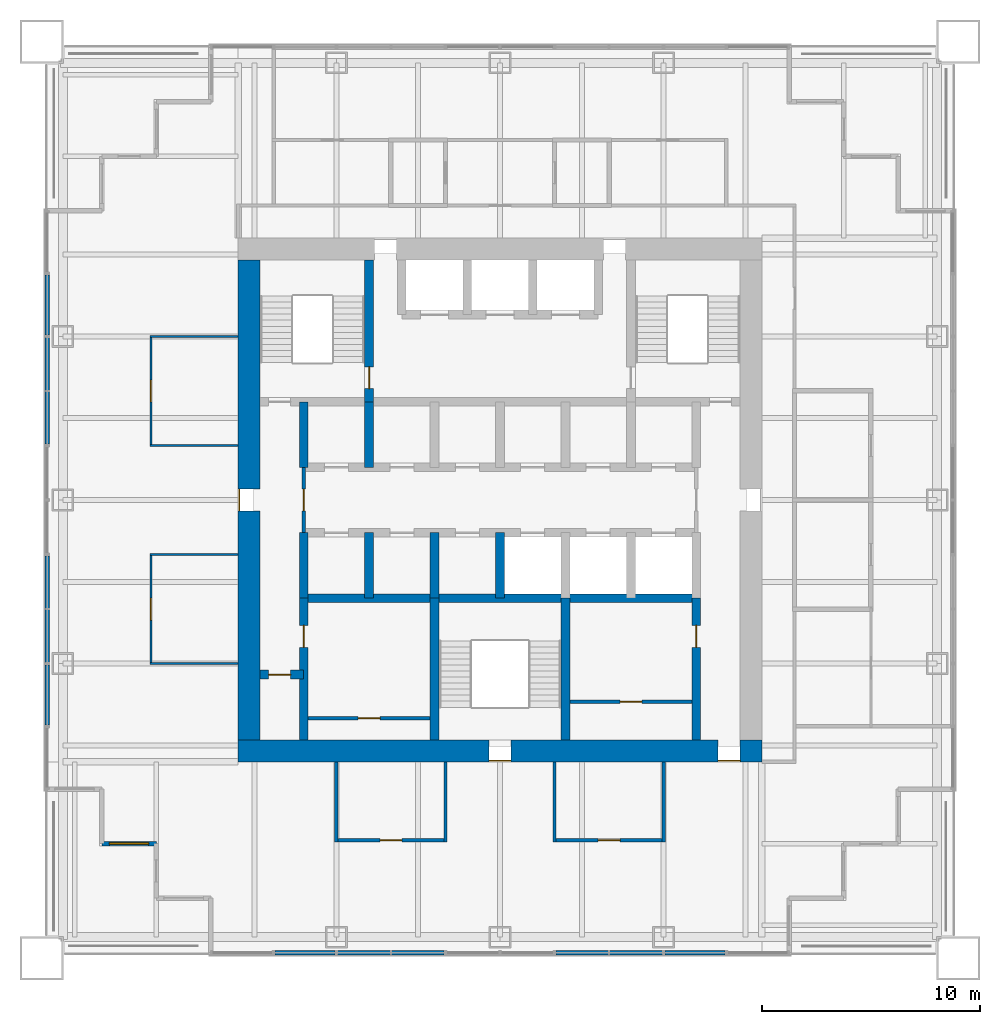
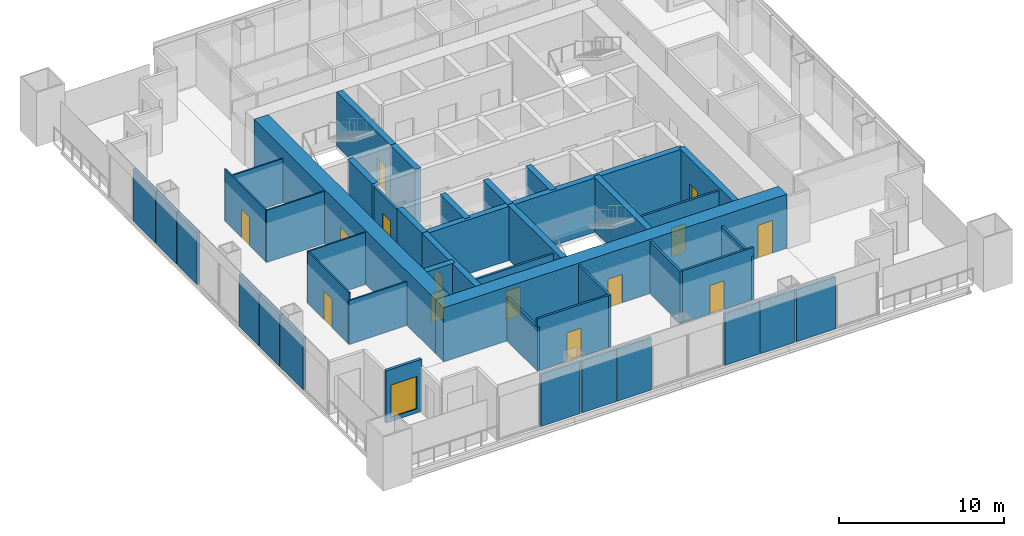
# One storey, part 9 of 14: 43 walls, 14 doors, 1 window, 15 openings.
"""IFC4 building model written with IfcOpenShell, lengths in metres."""

import ifcopenshell
import ifcopenshell.guid

model = None  # the IFC model being written
_history = None  # IfcOwnerHistory: only IFC2X3 demands one
_inside = {}  # id of a spatial element -> (the spatial element, [elements in it])
_under = {}  # id of a project, library or spatial element -> (it, [spatial elements below it])
_declared = {}  # id of a project -> (the project, [libraries it declares])
_typed = {}  # id of a type object -> (the type object, [elements of that type])
_made_of = {}  # id of a material, layer set ... -> (it, [elements and type objects made of it])


def new_model(schema):
    """Start an empty IFC model of exactly this schema.

    Asked for "IFC4X3", IfcOpenShell would pick the latest addendum, in which some entities
    have other attributes; the version numbers below select the first issue.
    IFC2X3 requires an IfcOwnerHistory on every rooted entity: one is made here for all.
    """
    global model, _history
    if schema == "IFC4X3":
        model = ifcopenshell.file(schema_version=(4, 3, 0, 0))
    else:
        model = ifcopenshell.file(schema=schema)
    _inside.clear()
    _under.clear()
    _declared.clear()
    _typed.clear()
    _made_of.clear()
    _history = None
    if model.schema == "IFC2X3":
        org = make("IfcOrganization", Name="unknown")
        user = make(
            "IfcPersonAndOrganization",
            ThePerson=make("IfcPerson", FamilyName="unknown"),
            TheOrganization=org,
        )
        app = make(
            "IfcApplication",
            ApplicationDeveloper=org,
            Version="unknown",
            ApplicationFullName="unknown",
            ApplicationIdentifier="unknown",
        )
        _history = make(
            "IfcOwnerHistory",
            OwningUser=user,
            OwningApplication=app,
            ChangeAction="ADDED",
            CreationDate=0,
        )
    return model


def make(cls, **values):
    """One entity of the class cls with the attributes given. An attribute that is None is left unset."""
    return model.create_entity(
        cls, **{name: value for name, value in values.items() if value is not None}
    )


def rooted(cls, **values):
    """An entity with a GlobalId (a new one), such as an element, a storey or a relation."""
    return make(cls, GlobalId=ifcopenshell.guid.new(), OwnerHistory=_history, **values)


def si_unit(unit_type, name, prefix=None):
    """IfcSIUnit, for example si_unit("LENGTHUNIT", "METRE", prefix="MILLI")."""
    return make("IfcSIUnit", UnitType=unit_type, Prefix=prefix, Name=name)


def assignment(units):
    """IfcUnitAssignment: the units of a project."""
    return None if units is None else make("IfcUnitAssignment", Units=units)


def point(xyz):
    """IfcCartesianPoint."""
    return None if xyz is None else make("IfcCartesianPoint", Coordinates=xyz)


def direction(xyz):
    """IfcDirection."""
    return None if xyz is None else make("IfcDirection", DirectionRatios=xyz)


def frame(location, z_axis=None, x_axis=None):
    """IfcAxis2Placement3D, a coordinate frame: its origin and axes. An axis left out is left unset."""
    return make(
        "IfcAxis2Placement3D",
        Location=point(location),
        Axis=direction(z_axis),
        RefDirection=direction(x_axis),
    )


def frame_2d(location, x_axis=None):
    """IfcAxis2Placement2D, a coordinate frame in the plane: its origin and x axis."""
    return make(
        "IfcAxis2Placement2D", Location=point(location), RefDirection=direction(x_axis)
    )


def origin():
    """The frame at (0, 0, 0) with its axes left unset."""
    return frame((0.0, 0.0, 0.0))


def place(relative_to, where):
    """IfcLocalPlacement: puts the frame where relative to a parent placement (None: the world)."""
    return make(
        "IfcLocalPlacement", PlacementRelTo=relative_to, RelativePlacement=where
    )


def context(
    kind, dimensions, precision=None, world=None, true_north=None, identifier=None
):
    """IfcGeometricRepresentationContext, for example the 3D "Model" context."""
    return make(
        "IfcGeometricRepresentationContext",
        ContextIdentifier=identifier,
        ContextType=kind,
        CoordinateSpaceDimension=dimensions,
        Precision=precision,
        WorldCoordinateSystem=world,
        TrueNorth=true_north,
    )


def subcontext(parent, identifier, kind, view, scale=None):
    """IfcGeometricRepresentationSubContext, for example "Body" below "Model"."""
    return make(
        "IfcGeometricRepresentationSubContext",
        ContextIdentifier=identifier,
        ContextType=kind,
        ParentContext=parent,
        TargetScale=scale,
        TargetView=view,
    )


def project(units=None, contexts=None):
    """IfcProject with its units and contexts."""
    return rooted(
        "IfcProject",
        Name="project",
        RepresentationContexts=contexts,
        UnitsInContext=assignment(units),
    )


def spatial(cls, under=None, at=None, **own):
    """A site, building, storey or space (cls), placed at a placement, below another one or the project."""
    s = rooted(cls, ObjectPlacement=at, **own)
    if under is not None:
        _under.setdefault(under.id(), (under, []))[1].append(s)
    return s


def profile(cls, at=None, kind="AREA", **sizes):
    """A parametric profile (cls). Its sizes go by their IFC names, for example OverallWidth=200.0."""
    return make(cls, ProfileType=kind, Position=at, **sizes)


def rectangle(**sizes):
    """IfcRectangleProfileDef."""
    return profile("IfcRectangleProfileDef", **sizes)


def extrude(swept, where, along, depth):
    """IfcExtrudedAreaSolid: the profile swept, set in the frame where, extruded along a direction by depth."""
    return make(
        "IfcExtrudedAreaSolid",
        SweptArea=swept,
        Position=where,
        ExtrudedDirection=direction(along),
        Depth=depth,
    )


def shape(context_of_items, identifier, shape_type, items):
    """IfcShapeRepresentation: the items that make up one representation, for example the "Body"."""
    return make(
        "IfcShapeRepresentation",
        ContextOfItems=context_of_items,
        RepresentationIdentifier=identifier,
        RepresentationType=shape_type,
        Items=items,
    )


def material(Name=None, Category=None):
    """IfcMaterial."""
    return make("IfcMaterial", Name=Name, Category=Category)


def layer(
    of_material, thickness, ventilated=None, Name=None, Category=None, Priority=None
):
    """IfcMaterialLayer: one layer of a wall or slab, of a material (None: an air gap)."""
    return make(
        "IfcMaterialLayer",
        Material=of_material,
        LayerThickness=thickness,
        IsVentilated=ventilated,
        Name=Name,
        Category=Category,
        Priority=Priority,
    )


def layer_set(layers, Name=None):
    """IfcMaterialLayerSet."""
    return make("IfcMaterialLayerSet", MaterialLayers=layers, LayerSetName=Name)


def made_of(thing, what):
    """Note that an element or type object is made of a material, layer set ...; save() writes the relation."""
    if what is not None:
        _made_of.setdefault(what.id(), (what, []))[1].append(thing)
    return thing


def type_object(cls, material=None, **own):
    """A type object (cls), such as IfcWallType, which elements share."""
    return made_of(rooted(cls, **own), material)


def element(
    cls,
    number,
    at=None,
    inside=None,
    cuts=None,
    type_object=None,
    material=None,
    context=None,
    identifier="Body",
    shape_type=None,
    held_by="IfcProductDefinitionShape",
    body=None,
    shapes=None,
    **own,
):
    """One element of the class cls, such as IfcWall. Its Tag is "e" and its number.

    at: its placement. inside: the storey or other place that contains it. cuts: it is an
    opening in that element (IfcRelVoidsElement). A single representation is given by context,
    identifier, shape_type and body (its items); several are given by shapes. held_by: the class
    of the entity that holds the representations. save() writes the other relations.
    """
    e = rooted(cls, Tag="e%d" % number, ObjectPlacement=at, **own)
    if body is not None:
        shapes = [shape(context, identifier, shape_type, body)]
    if shapes is not None:
        e.Representation = make(held_by, Representations=shapes)
    if inside is not None:
        _inside.setdefault(inside.id(), (inside, []))[1].append(e)
    if cuts is not None:
        rooted(
            "IfcRelVoidsElement", RelatingBuildingElement=cuts, RelatedOpeningElement=e
        )
    if type_object is not None:
        _typed.setdefault(type_object.id(), (type_object, []))[1].append(e)
    return made_of(e, material)


def fill(opening, filler):
    """IfcRelFillsElement: the door or window that sits in an opening."""
    return rooted(
        "IfcRelFillsElement",
        RelatingOpeningElement=opening,
        RelatedBuildingElement=filler,
    )


def aggregate(whole, parts):
    """IfcRelAggregates: a whole, such as a stair, and the parts it consists of."""
    return rooted("IfcRelAggregates", RelatingObject=whole, RelatedObjects=parts)


def save(model, path):
    """Write the relations noted so far, then the file.

    IfcRelAggregates (storeys below a building ...), IfcRelContainedInSpatialStructure (elements
    in a storey), IfcRelDefinesByType, IfcRelAssociatesMaterial and IfcRelDeclares: one each for
    every whole, place, type object, material and project.
    """
    for whole, parts in _under.values():
        aggregate(whole, parts)
    for where, things in _inside.values():
        rooted(
            "IfcRelContainedInSpatialStructure",
            RelatedElements=things,
            RelatingStructure=where,
        )
    for kind, things in _typed.values():
        rooted("IfcRelDefinesByType", RelatedObjects=things, RelatingType=kind)
    for what, things in _made_of.values():
        rooted("IfcRelAssociatesMaterial", RelatedObjects=things, RelatingMaterial=what)
    for by, libraries in _declared.values():
        rooted("IfcRelDeclares", RelatingContext=by, RelatedDefinitions=libraries)
    model.write(path)


model = new_model("IFC4")

# Units and contexts
model_context = context("Model", 3, precision=1e-05, world=origin(), true_north=direction((0.0, 1.0)))
body_context = subcontext(model_context, "Body", "Model", "MODEL_VIEW")
ifc_project = project(units=[si_unit("LENGTHUNIT", "METRE"), si_unit("AREAUNIT", "SQUARE_METRE"), si_unit("VOLUMEUNIT", "CUBIC_METRE"), si_unit("PLANEANGLEUNIT", "RADIAN"), si_unit("MASSUNIT", "GRAM", prefix="KILO")], contexts=[model_context])

# Site, building, storey
site_placement = place(None, origin())
site = spatial("IfcSite", under=ifc_project, at=site_placement, CompositionType="ELEMENT")
building_placement = place(site_placement, origin())
building = spatial("IfcBuilding", under=site, at=building_placement, Name="Tarangal Relay Tower", CompositionType="ELEMENT")
storey_placement = place(building_placement, frame((0.0, 0.0, 319.89990234375)))
storey = spatial("IfcBuildingStorey", under=building, at=storey_placement, Name="L71", CompositionType="ELEMENT", Elevation=319.89990234375)

# Wall
ifc_material_1 = material(Name="Concrete fc' 60 MPa", Category="concrete")
ifc_layer_1 = layer(ifc_material_1, 0.39990234375)
ifc_layer_set_1 = layer_set([ifc_layer_1], Name="Core inner wall 400")
wall_type_1 = type_object("IfcWallType", Name="Core inner wall 400", PredefinedType="SHEAR", material=ifc_layer_set_1)
wall_1_placement = place(storey_placement, frame((-9.0, -4.5, 0.0), z_axis=(0.0, 0.0, 1.0), x_axis=(1.0, 0.0, 0.0)))
element("IfcWall", 1, at=wall_1_placement, inside=storey, type_object=wall_type_1, Name="Core wall YM45 L71", PredefinedType="SHEAR", context=body_context, shape_type="SweptSolid", body=[
    extrude(rectangle(XDim=18.0, YDim=0.39990234375, at=frame_2d((9.0, 0.0))), origin(), (0.0, 0.0, 1.0), 4.0),
])

# Wall, opening, door
wall_2_placement = place(storey_placement, frame((-11.0, -8.0, 0.0), z_axis=(0.0, 0.0, 1.0), x_axis=(1.0, 0.0, 0.0)))
wall_2 = element("IfcWall", 2, at=wall_2_placement, inside=storey, type_object=wall_type_1, Name="Core wall YM8 L71", PredefinedType="SHEAR", context=body_context, shape_type="SweptSolid", body=[
    extrude(rectangle(XDim=2.0, YDim=0.39990234375, at=frame_2d((1.0, 0.0))), origin(), (0.0, 0.0, 1.0), 4.0),
])
opening_1_placement = place(wall_2_placement, frame((0.39990234375, 0.0, 0.0)))
opening_1 = element("IfcOpeningElement", 3, at=opening_1_placement, cuts=wall_2, Name="Opening D1", PredefinedType="OPENING", context=body_context, shape_type="SweptSolid", body=[
    extrude(rectangle(XDim=1.0, YDim=2.10009765625, at=frame_2d((0.5, 1.050048828125))), frame((0.0, 0.2099609375, 0.0), z_axis=(0.0, -1.0, 0.0), x_axis=(1.0, 0.0, 0.0)), (0.0, 0.0, 1.0), 0.419921875),
])
ifc_material_2 = material(Name="Hardwood door", Category="wood")
door_type_1 = type_object("IfcDoorType", Name="WC door 1000 x 2100", OperationType="SINGLE_SWING_LEFT", PredefinedType="DOOR", material=ifc_material_2)
door_1_placement = place(opening_1_placement, origin())
door_1 = element("IfcDoor", 4, at=door_1_placement, inside=storey, type_object=door_type_1, Name="Accessible WC door L71", OperationType="SINGLE_SWING_LEFT", OverallHeight=2.10009765625, OverallWidth=1.0, PredefinedType="DOOR", context=body_context, shape_type="SweptSolid", body=[
    extrude(rectangle(XDim=1.0, YDim=2.10009765625, at=frame_2d((0.5, 1.050048828125))), frame((0.0, 0.02490234375, 0.0), z_axis=(0.0, -1.0, 0.0), x_axis=(1.0, 0.0, 0.0)), (0.0, 0.0, 1.0), 0.050048828125),
])
fill(opening_1, door_1)

# Walls
for number, where, z_axis, x_axis, name in (
    (5, (-9.0, 1.5, 0.0), (0.0, 0.0, 1.0), (0.0, 1.0, 0.0), "Core wall XM9N L71"),
    (6, (-9.0, -4.5, 0.0), (0.0, 0.0, 1.0), (0.0, 1.0, 0.0), "Core wall XM9S L71"),
    (7, (-6.0, 1.5, 0.0), (0.0, 0.0, 1.0), (0.0, 1.0, 0.0), "Core wall XM6N L71"),
    (8, (-6.0, -4.5, 0.0), (0.0, 0.0, 1.0), (0.0, 1.0, 0.0), "Core wall XM6S L71"),
    (9, (-3.0, -4.5, 0.0), (0.0, 0.0, 1.0), (0.0, 1.0, 0.0), "Core wall XM3S L71"),
    (10, (0.0, -4.5, 0.0), (0.0, 0.0, 1.0), (0.0, 1.0, 0.0), "Core wall X0S L71"),
):
    element("IfcWall", number, at=place(storey_placement, frame(where, z_axis=z_axis, x_axis=x_axis)), inside=storey, type_object=wall_type_1, Name=name, PredefinedType="SHEAR", context=body_context, shape_type="SweptSolid", body=[
        extrude(rectangle(XDim=3.0, YDim=0.39990234375, at=frame_2d((1.5, 0.0))), origin(), (0.0, 0.0, 1.0), 4.0),
    ])

# Wall, opening, door
wall_3_placement = place(storey_placement, frame((-6.0, 4.5, 0.0), z_axis=(0.0, 0.0, 1.0), x_axis=(0.0, 1.0, 0.0)))
wall_3 = element("IfcWall", 11, at=wall_3_placement, inside=storey, type_object=wall_type_1, Name="Core wall XM6 L71", PredefinedType="SHEAR", context=body_context, shape_type="SweptSolid", body=[
    extrude(rectangle(XDim=6.5, YDim=0.39990234375, at=frame_2d((3.25, 0.0))), origin(), (0.0, 0.0, 1.0), 4.0),
])
opening_2_placement = place(wall_3_placement, frame((0.60009765625, 0.0, 0.0)))
opening_2 = element("IfcOpeningElement", 12, at=opening_2_placement, cuts=wall_3, Name="Opening FD1", PredefinedType="OPENING", context=body_context, shape_type="SweptSolid", body=[
    extrude(rectangle(XDim=1.0, YDim=2.10009765625, at=frame_2d((0.5, 1.050048828125))), frame((0.0, 0.2099609375, 0.0), z_axis=(0.0, -1.0, 0.0), x_axis=(1.0, 0.0, 0.0)), (0.0, 0.0, 1.0), 0.419921875),
])
ifc_material_3 = material(Name="Steel door with hardwood frame", Category="steel")
door_type_2 = type_object("IfcDoorType", Name="Fire door 1000 x 2100", OperationType="SINGLE_SWING_LEFT", PredefinedType="DOOR", material=ifc_material_3)
door_2_placement = place(opening_2_placement, origin())
door_2 = element("IfcDoor", 13, at=door_2_placement, inside=storey, type_object=door_type_2, Name="Stair ST-A door from fire-fighting lobby L71", OperationType="SINGLE_SWING_LEFT", OverallHeight=2.10009765625, OverallWidth=1.0, PredefinedType="DOOR", context=body_context, shape_type="SweptSolid", body=[
    extrude(rectangle(XDim=1.0, YDim=2.10009765625, at=frame_2d((0.5, 1.050048828125))), frame((0.0, 0.02490234375, 0.0), z_axis=(0.0, -1.0, 0.0), x_axis=(1.0, 0.0, 0.0)), (0.0, 0.0, 1.0), 0.050048828125),
])
fill(opening_2, door_2)

wall_4_placement = place(storey_placement, frame((-9.0, -11.0, 0.0), z_axis=(0.0, 0.0, 1.0), x_axis=(0.0, 1.0, 0.0)))
wall_4 = element("IfcWall", 14, at=wall_4_placement, inside=storey, type_object=wall_type_1, Name="Core wall XM9W L71", PredefinedType="SHEAR", context=body_context, shape_type="SweptSolid", body=[
    extrude(rectangle(XDim=6.5, YDim=0.39990234375, at=frame_2d((3.25, 0.0))), origin(), (0.0, 0.0, 1.0), 4.0),
])
opening_3_placement = place(wall_4_placement, frame((4.25, 0.0, 0.0)))
opening_3 = element("IfcOpeningElement", 15, at=opening_3_placement, cuts=wall_4, Name="Opening D1", PredefinedType="OPENING", context=body_context, shape_type="SweptSolid", body=[
    extrude(rectangle(XDim=1.0, YDim=2.10009765625, at=frame_2d((0.5, 1.050048828125))), frame((0.0, 0.2099609375, 0.0), z_axis=(0.0, -1.0, 0.0), x_axis=(1.0, 0.0, 0.0)), (0.0, 0.0, 1.0), 0.419921875),
])
door_3_placement = place(opening_3_placement, origin())
door_3 = element("IfcDoor", 16, at=door_3_placement, inside=storey, type_object=door_type_1, Name="Male WC door L71", OperationType="SINGLE_SWING_LEFT", OverallHeight=2.10009765625, OverallWidth=1.0, PredefinedType="DOOR", context=body_context, shape_type="SweptSolid", body=[
    extrude(rectangle(XDim=1.0, YDim=2.10009765625, at=frame_2d((0.5, 1.050048828125))), frame((0.0, 0.02490234375, 0.0), z_axis=(0.0, -1.0, 0.0), x_axis=(1.0, 0.0, 0.0)), (0.0, 0.0, 1.0), 0.050048828125),
])
fill(opening_3, door_3)

wall_5_placement = place(storey_placement, frame((9.0, -11.0, 0.0), z_axis=(0.0, 0.0, 1.0), x_axis=(0.0, 1.0, 0.0)))
wall_5 = element("IfcWall", 17, at=wall_5_placement, inside=storey, type_object=wall_type_1, Name="Core wall X9W L71", PredefinedType="SHEAR", context=body_context, shape_type="SweptSolid", body=[
    extrude(rectangle(XDim=6.5, YDim=0.39990234375, at=frame_2d((3.25, 0.0))), origin(), (0.0, 0.0, 1.0), 4.0),
])
opening_4_placement = place(wall_5_placement, frame((4.25, 0.0, 0.0)))
opening_4 = element("IfcOpeningElement", 18, at=opening_4_placement, cuts=wall_5, Name="Opening D1", PredefinedType="OPENING", context=body_context, shape_type="SweptSolid", body=[
    extrude(rectangle(XDim=1.0, YDim=2.10009765625, at=frame_2d((0.5, 1.050048828125))), frame((0.0, 0.2099609375, 0.0), z_axis=(0.0, -1.0, 0.0), x_axis=(1.0, 0.0, 0.0)), (0.0, 0.0, 1.0), 0.419921875),
])
door_4_placement = place(opening_4_placement, origin())
door_4 = element("IfcDoor", 19, at=door_4_placement, inside=storey, type_object=door_type_1, Name="Female WC door L71", OperationType="SINGLE_SWING_LEFT", OverallHeight=2.10009765625, OverallWidth=1.0, PredefinedType="DOOR", context=body_context, shape_type="SweptSolid", body=[
    extrude(rectangle(XDim=1.0, YDim=2.10009765625, at=frame_2d((0.5, 1.050048828125))), frame((0.0, 0.02490234375, 0.0), z_axis=(0.0, -1.0, 0.0), x_axis=(1.0, 0.0, 0.0)), (0.0, 0.0, 1.0), 0.050048828125),
])
fill(opening_4, door_4)

# Walls
for number, where, z_axis, x_axis, name in (
    (20, (-3.0, -11.0, 0.0), (0.0, 0.0, 1.0), (0.0, 1.0, 0.0), "Core wall XM3W L71"),
    (21, (3.0, -11.0, 0.0), (0.0, 0.0, 1.0), (0.0, 1.0, 0.0), "Core wall X3W L71"),
):
    element("IfcWall", number, at=place(storey_placement, frame(where, z_axis=z_axis, x_axis=x_axis)), inside=storey, type_object=wall_type_1, Name=name, PredefinedType="SHEAR", context=body_context, shape_type="SweptSolid", body=[
        extrude(rectangle(XDim=6.5, YDim=0.39990234375, at=frame_2d((3.25, 0.0))), origin(), (0.0, 0.0, 1.0), 4.0),
    ])

# Wall, openings, doors
ifc_layer_2 = layer(ifc_material_1, 1.0)
ifc_layer_set_2 = layer_set([ifc_layer_2], Name="Core wall 1000")
wall_type_2 = type_object("IfcWallType", Name="Core wall 1000", PredefinedType="SHEAR", material=ifc_layer_set_2)
wall_6_placement = place(storey_placement, frame((12.0, -11.5, 0.0), z_axis=(0.0, 0.0, 1.0), x_axis=(-1.0, 0.0, 0.0)))
wall_6 = element("IfcWall", 22, at=wall_6_placement, inside=storey, type_object=wall_type_2, Name="Core wall S L71", PredefinedType="SHEAR", context=body_context, shape_type="SweptSolid", body=[
    extrude(rectangle(XDim=24.0, YDim=1.0, at=frame_2d((12.0, 0.0))), origin(), (0.0, 0.0, 1.0), 4.0),
])
opening_5_placement = place(wall_6_placement, frame((11.5, 0.0, 0.0)))
opening_5 = element("IfcOpeningElement", 23, at=opening_5_placement, cuts=wall_6, Name="Opening FD1", PredefinedType="OPENING", context=body_context, shape_type="SweptSolid", body=[
    extrude(rectangle(XDim=1.0, YDim=2.10009765625, at=frame_2d((0.5, 1.050048828125))), frame((0.0, 0.510009765625, 0.0), z_axis=(0.0, -1.0, 0.0), x_axis=(1.0, 0.0, 0.0)), (0.0, 0.0, 1.0), 1.02001953125),
])
opening_6_placement = place(wall_6_placement, frame((1.0, 0.0, 0.0)))
opening_6 = element("IfcOpeningElement", 24, at=opening_6_placement, cuts=wall_6, Name="Opening FD3", PredefinedType="OPENING", context=body_context, shape_type="SweptSolid", body=[
    extrude(rectangle(XDim=1.0, YDim=2.39990234375, at=frame_2d((0.5, 1.199951171875))), frame((0.0, 0.510009765625, 0.0), z_axis=(0.0, -1.0, 0.0), x_axis=(1.0, 0.0, 0.0)), (0.0, 0.0, 1.0), 1.02001953125),
])
door_5_placement = place(opening_5_placement, origin())
door_5 = element("IfcDoor", 25, at=door_5_placement, inside=storey, type_object=door_type_2, Name="Stair ST-C door L71", OperationType="SINGLE_SWING_LEFT", OverallHeight=2.10009765625, OverallWidth=1.0, PredefinedType="DOOR", context=body_context, shape_type="SweptSolid", body=[
    extrude(rectangle(XDim=1.0, YDim=2.10009765625, at=frame_2d((0.5, 1.050048828125))), frame((0.0, 0.48486328125, 0.0), z_axis=(0.0, -1.0, 0.0), x_axis=(1.0, 0.0, 0.0)), (0.0, 0.0, 1.0), 0.050048828125),
])
fill(opening_5, door_5)
door_type_3 = type_object("IfcDoorType", Name="Fire door 1000 x 2400 core entry", OperationType="SINGLE_SWING_RIGHT", PredefinedType="DOOR", material=ifc_material_3)
door_6_placement = place(opening_6_placement, origin())
door_6 = element("IfcDoor", 26, at=door_6_placement, inside=storey, type_object=door_type_3, Name="Core entry door south east L71", OperationType="SINGLE_SWING_RIGHT", OverallHeight=2.39990234375, OverallWidth=1.0, PredefinedType="DOOR", context=body_context, shape_type="SweptSolid", body=[
    extrude(rectangle(XDim=1.0, YDim=2.39990234375, at=frame_2d((0.5, 1.199951171875))), frame((0.0, 0.48486328125, 0.0), z_axis=(0.0, -1.0, 0.0), x_axis=(1.0, 0.0, 0.0)), (0.0, 0.0, 1.0), 0.050048828125),
])
fill(opening_6, door_6)

# Wall, opening, door
wall_7_placement = place(storey_placement, frame((-11.5, -11.0, 0.0), z_axis=(0.0, 0.0, 1.0), x_axis=(0.0, 1.0, 0.0)))
wall_7 = element("IfcWall", 27, at=wall_7_placement, inside=storey, type_object=wall_type_2, Name="Core wall W L71", PredefinedType="SHEAR", context=body_context, shape_type="SweptSolid", body=[
    extrude(rectangle(XDim=22.0, YDim=1.0, at=frame_2d((11.0, 0.0))), origin(), (0.0, 0.0, 1.0), 4.0),
])
opening_7_placement = place(wall_7_placement, frame((10.5, 0.0, 0.0)))
opening_7 = element("IfcOpeningElement", 28, at=opening_7_placement, cuts=wall_7, Name="Opening FD3", PredefinedType="OPENING", context=body_context, shape_type="SweptSolid", body=[
    extrude(rectangle(XDim=1.0, YDim=2.39990234375, at=frame_2d((0.5, 1.199951171875))), frame((0.0, 0.510009765625, 0.0), z_axis=(0.0, -1.0, 0.0), x_axis=(1.0, 0.0, 0.0)), (0.0, 0.0, 1.0), 1.02001953125),
])
door_7_placement = place(opening_7_placement, origin())
door_7 = element("IfcDoor", 29, at=door_7_placement, inside=storey, type_object=door_type_3, Name="Core entry door west L71", OperationType="SINGLE_SWING_RIGHT", OverallHeight=2.39990234375, OverallWidth=1.0, PredefinedType="DOOR", context=body_context, shape_type="SweptSolid", body=[
    extrude(rectangle(XDim=1.0, YDim=2.39990234375, at=frame_2d((0.5, 1.199951171875))), frame((0.0, 0.48486328125, 0.0), z_axis=(0.0, -1.0, 0.0), x_axis=(1.0, 0.0, 0.0)), (0.0, 0.0, 1.0), 0.050048828125),
])
fill(opening_7, door_7)

# Wall, opening, window
ifc_material_4 = material(Name="Black metal clad insulated wall", Category="steel")
ifc_layer_3 = layer(ifc_material_4, 0.199951171875)
ifc_layer_set_3 = layer_set([ifc_layer_3], Name="Corner wall metal clad 200")
wall_type_3 = type_object("IfcWallType", Name="Corner wall metal clad 200", PredefinedType="SOLIDWALL", material=ifc_layer_set_3)
wall_8_placement = place(storey_placement, frame((-15.75, -15.75, 0.0), z_axis=(0.0, 0.0, 1.0), x_axis=(-1.0, 0.0, 0.0)))
wall_8 = element("IfcWall", 30, at=wall_8_placement, inside=storey, type_object=wall_type_3, Name="Facade wall S facade L71", PredefinedType="SOLIDWALL", context=body_context, shape_type="SweptSolid", body=[
    extrude(rectangle(XDim=2.5, YDim=0.199951171875, at=frame_2d((1.25, 0.0))), origin(), (0.0, 0.0, 1.0), 3.85009765625),
])
opening_8_placement = place(wall_8_placement, frame((0.35009765625, 0.0, 0.300048828125)))
opening_8 = element("IfcOpeningElement", 31, at=opening_8_placement, cuts=wall_8, Name="Opening WN2", PredefinedType="OPENING", context=body_context, shape_type="SweptSolid", body=[
    extrude(rectangle(XDim=1.800048828125, YDim=2.39990234375, at=frame_2d((0.89990234375, 1.199951171875))), frame((0.0, 0.10986328125, 0.0), z_axis=(0.0, -1.0, 0.0), x_axis=(1.0, 0.0, 0.0)), (0.0, 0.0, 1.0), 0.219970703125),
])
ifc_material_5 = material(Name="Dark tinted double glazing in black aluminium frame", Category="aluminium")
window_type = type_object("IfcWindowType", Name="Corner window 1800 x 2400", PartitioningType="SINGLE_PANEL", PredefinedType="WINDOW", material=ifc_material_5)
window_placement = place(opening_8_placement, origin())
window = element("IfcWindow", 32, at=window_placement, inside=storey, type_object=window_type, Name="Corner window WN2 S facade L71", OverallHeight=2.39990234375, OverallWidth=1.800048828125, PartitioningType="SINGLE_PANEL", PredefinedType="WINDOW", context=body_context, shape_type="SweptSolid", body=[
    extrude(rectangle(XDim=1.800048828125, YDim=2.39990234375, at=frame_2d((0.89990234375, 1.199951171875))), frame((0.0, 0.030029296875, 0.0), z_axis=(0.0, -1.0, 0.0), x_axis=(1.0, 0.0, 0.0)), (0.0, 0.0, 1.0), 0.06005859375),
])
fill(opening_8, window)

# Walls
ifc_layer_4 = layer(ifc_material_4, 0.199951171875)
ifc_layer_set_4 = layer_set([ifc_layer_4], Name="Facade infill wall metal clad 200")
wall_type_4 = type_object("IfcWallType", Name="Facade infill wall metal clad 200", PredefinedType="SOLIDWALL", material=ifc_layer_set_4)
wall_9_placement = place(storey_placement, frame((10.31494140625, -20.75, 0.0), z_axis=(0.0, 0.0, 1.0), x_axis=(-1.0, 0.0, 0.0)))
element("IfcWall", 33, at=wall_9_placement, inside=storey, type_object=wall_type_4, Name="Facade infill wall S facade L71 1.1", PredefinedType="SOLIDWALL", context=body_context, shape_type="SweptSolid", body=[
    extrude(rectangle(XDim=2.7548828125, YDim=0.199951171875, at=frame_2d((1.37744140625, 0.0))), origin(), (0.0, 0.0, 1.0), 3.85009765625),
])
for number, where, z_axis, x_axis, name in (
    (34, (7.43994140625, -20.75, 0.0), (0.0, 0.0, 1.0), (-1.0, 0.0, 0.0), "Facade infill wall S facade L71 1.1"),
    (35, (4.969970703125, -20.75, 0.0), (0.0, 0.0, 1.0), (-1.0, 0.0, 0.0), "Facade infill wall S facade L71 2.1"),
    (36, (-2.56005859375, -20.75, 0.0), (0.0, 0.0, 1.0), (-1.0, 0.0, 0.0), "Facade infill wall S facade L71 1.1"),
    (37, (-5.030029296875, -20.75, 0.0), (0.0, 0.0, 1.0), (-1.0, 0.0, 0.0), "Facade infill wall S facade L71 2.1"),
):
    element("IfcWall", number, at=place(storey_placement, frame(where, z_axis=z_axis, x_axis=x_axis)), inside=storey, type_object=wall_type_4, Name=name, PredefinedType="SOLIDWALL", context=body_context, shape_type="SweptSolid", body=[
        extrude(rectangle(XDim=2.409912109375, YDim=0.199951171875, at=frame_2d((1.205078125, 0.0))), origin(), (0.0, 0.0, 1.0), 3.85009765625),
    ])
for number, where, z_axis, x_axis, name in (
    (38, (-7.56005859375, -20.75, 0.0), (0.0, 0.0, 1.0), (-1.0, 0.0, 0.0), "Facade infill wall S facade L71 1.1"),
    (39, (-20.75, -10.31494140625, 0.0), (0.0, 0.0, 1.0), (0.0, 1.0, 0.0), "Facade infill wall W facade L71 1.1"),
):
    element("IfcWall", number, at=place(storey_placement, frame(where, z_axis=z_axis, x_axis=x_axis)), inside=storey, type_object=wall_type_4, Name=name, PredefinedType="SOLIDWALL", context=body_context, shape_type="SweptSolid", body=[
        extrude(rectangle(XDim=2.7548828125, YDim=0.199951171875, at=frame_2d((1.37744140625, 0.0))), origin(), (0.0, 0.0, 1.0), 3.85009765625),
    ])
for number, where, z_axis, x_axis, name in (
    (40, (-20.75, -7.43994140625, 0.0), (0.0, 0.0, 1.0), (0.0, 1.0, 0.0), "Facade infill wall W facade L71 1.1"),
    (41, (-20.75, -4.969970703125, 0.0), (0.0, 0.0, 1.0), (0.0, 1.0, 0.0), "Facade infill wall W facade L71 2.1"),
    (42, (-20.75, 2.56005859375, 0.0), (0.0, 0.0, 1.0), (0.0, 1.0, 0.0), "Facade infill wall W facade L71 1.1"),
    (43, (-20.75, 5.030029296875, 0.0), (0.0, 0.0, 1.0), (0.0, 1.0, 0.0), "Facade infill wall W facade L71 2.1"),
):
    element("IfcWall", number, at=place(storey_placement, frame(where, z_axis=z_axis, x_axis=x_axis)), inside=storey, type_object=wall_type_4, Name=name, PredefinedType="SOLIDWALL", context=body_context, shape_type="SweptSolid", body=[
        extrude(rectangle(XDim=2.409912109375, YDim=0.199951171875, at=frame_2d((1.205078125, 0.0))), origin(), (0.0, 0.0, 1.0), 3.85009765625),
    ])
wall_10_placement = place(storey_placement, frame((-20.75, 7.56005859375, 0.0), z_axis=(0.0, 0.0, 1.0), x_axis=(0.0, 1.0, 0.0)))
element("IfcWall", 44, at=wall_10_placement, inside=storey, type_object=wall_type_4, Name="Facade infill wall W facade L71 1.1", PredefinedType="SOLIDWALL", context=body_context, shape_type="SweptSolid", body=[
    extrude(rectangle(XDim=2.7548828125, YDim=0.199951171875, at=frame_2d((1.37744140625, 0.0))), origin(), (0.0, 0.0, 1.0), 3.85009765625),
])
ifc_material_6 = material(Name="Double glazed aluminium framed partition", Category="aluminium")
ifc_layer_5 = layer(ifc_material_6, 0.10009765625)
ifc_layer_set_5 = layer_set([ifc_layer_5], Name="Glazed partition 100")
wall_type_5 = type_object("IfcWallType", Name="Glazed partition 100", PredefinedType="PARTITIONING", material=ifc_layer_set_5)
wall_11_placement = place(storey_placement, frame((-16.050048828125, -7.5, 0.0), z_axis=(0.0, 0.0, 1.0), x_axis=(1.0, 0.0, 0.0)))
element("IfcWall", 45, at=wall_11_placement, inside=storey, type_object=wall_type_5, Name="Partition PT3 L71", PredefinedType="PARTITIONING", context=body_context, shape_type="SweptSolid", body=[
    extrude(rectangle(XDim=4.050048828125, YDim=0.10009765625, at=frame_2d((2.02490234375, 0.0))), origin(), (0.0, 0.0, 1.0), 3.2431640625),
])
for number, where, z_axis, x_axis, name in (
    (46, (-16.050048828125, -2.5, 0.0), (0.0, 0.0, 1.0), (1.0, 0.0, 0.0), "Partition PT3 L71"),
    (47, (-16.050048828125, 2.5, 0.0), (0.0, 0.0, 1.0), (1.0, 0.0, 0.0), "Partition PT3 L71"),
):
    element("IfcWall", number, at=place(storey_placement, frame(where, z_axis=z_axis, x_axis=x_axis)), inside=storey, type_object=wall_type_5, Name=name, PredefinedType="PARTITIONING", context=body_context, shape_type="SweptSolid", body=[
        extrude(rectangle(XDim=4.050048828125, YDim=0.10009765625, at=frame_2d((2.02490234375, 0.0))), origin(), (0.0, 0.0, 1.0), 3.85009765625),
    ])
wall_12_placement = place(storey_placement, frame((-16.050048828125, 7.5, 0.0), z_axis=(0.0, 0.0, 1.0), x_axis=(1.0, 0.0, 0.0)))
element("IfcWall", 48, at=wall_12_placement, inside=storey, type_object=wall_type_5, Name="Partition PT3 L71", PredefinedType="PARTITIONING", context=body_context, shape_type="SweptSolid", body=[
    extrude(rectangle(XDim=4.050048828125, YDim=0.10009765625, at=frame_2d((2.02490234375, 0.0))), origin(), (0.0, 0.0, 1.0), 3.2431640625),
])

# Wall, opening, door
wall_13_placement = place(storey_placement, frame((-16.0, -7.550048828125, 0.0), z_axis=(0.0, 0.0, 1.0), x_axis=(0.0, 1.0, 0.0)))
wall_13 = element("IfcWall", 49, at=wall_13_placement, inside=storey, type_object=wall_type_5, Name="Partition PT3 L71", PredefinedType="PARTITIONING", context=body_context, shape_type="SweptSolid", body=[
    extrude(rectangle(XDim=5.10009765625, YDim=0.10009765625, at=frame_2d((2.550048828125, 0.0))), origin(), (0.0, 0.0, 1.0), 3.85009765625),
])
opening_9_placement = place(wall_13_placement, frame((2.050048828125, 0.0, 0.0)))
opening_9 = element("IfcOpeningElement", 50, at=opening_9_placement, cuts=wall_13, Name="Opening D3", PredefinedType="OPENING", context=body_context, shape_type="SweptSolid", body=[
    extrude(rectangle(XDim=1.0, YDim=2.10009765625, at=frame_2d((0.5, 1.050048828125))), frame((0.0, 0.06005859375, 0.0), z_axis=(0.0, -1.0, 0.0), x_axis=(1.0, 0.0, 0.0)), (0.0, 0.0, 1.0), 0.1201171875),
])
ifc_material_7 = material(Name="Frameless glass door", Category="glass")
door_type_4 = type_object("IfcDoorType", Name="Glazed door 1000 x 2100", OperationType="SINGLE_SWING_LEFT", PredefinedType="DOOR", material=ifc_material_7)
door_8_placement = place(opening_9_placement, origin())
door_8 = element("IfcDoor", 51, at=door_8_placement, inside=storey, type_object=door_type_4, Name="Door D3 to project room L71-12", OperationType="SINGLE_SWING_LEFT", OverallHeight=2.10009765625, OverallWidth=1.0, PredefinedType="DOOR", context=body_context, shape_type="SweptSolid", body=[
    extrude(rectangle(XDim=1.0, YDim=2.10009765625, at=frame_2d((0.5, 1.050048828125))), frame((0.0, 0.02490234375, 0.0), z_axis=(0.0, -1.0, 0.0), x_axis=(1.0, 0.0, 0.0)), (0.0, 0.0, 1.0), 0.050048828125),
])
fill(opening_9, door_8)

wall_14_placement = place(storey_placement, frame((-16.0, 2.449951171875, 0.0), z_axis=(0.0, 0.0, 1.0), x_axis=(0.0, 1.0, 0.0)))
wall_14 = element("IfcWall", 52, at=wall_14_placement, inside=storey, type_object=wall_type_5, Name="Partition PT3 L71", PredefinedType="PARTITIONING", context=body_context, shape_type="SweptSolid", body=[
    extrude(rectangle(XDim=5.10009765625, YDim=0.10009765625, at=frame_2d((2.550048828125, 0.0))), origin(), (0.0, 0.0, 1.0), 3.85009765625),
])
opening_10_placement = place(wall_14_placement, frame((2.050048828125, 0.0, 0.0)))
opening_10 = element("IfcOpeningElement", 53, at=opening_10_placement, cuts=wall_14, Name="Opening D3", PredefinedType="OPENING", context=body_context, shape_type="SweptSolid", body=[
    extrude(rectangle(XDim=1.0, YDim=2.10009765625, at=frame_2d((0.5, 1.050048828125))), frame((0.0, 0.06005859375, 0.0), z_axis=(0.0, -1.0, 0.0), x_axis=(1.0, 0.0, 0.0)), (0.0, 0.0, 1.0), 0.1201171875),
])
door_9_placement = place(opening_10_placement, origin())
door_9 = element("IfcDoor", 54, at=door_9_placement, inside=storey, type_object=door_type_4, Name="Door D3 to project room L71-13", OperationType="SINGLE_SWING_LEFT", OverallHeight=2.10009765625, OverallWidth=1.0, PredefinedType="DOOR", context=body_context, shape_type="SweptSolid", body=[
    extrude(rectangle(XDim=1.0, YDim=2.10009765625, at=frame_2d((0.5, 1.050048828125))), frame((0.0, 0.02490234375, 0.0), z_axis=(0.0, -1.0, 0.0), x_axis=(1.0, 0.0, 0.0)), (0.0, 0.0, 1.0), 0.050048828125),
])
fill(opening_10, door_9)

ifc_material_8 = material(Name="Gypsum board on steel studs", Category="steel")
ifc_layer_6 = layer(ifc_material_8, 0.14990234375)
ifc_layer_set_6 = layer_set([ifc_layer_6], Name="Partition 150")
wall_type_6 = type_object("IfcWallType", Name="Partition 150", PredefinedType="PARTITIONING", material=ifc_layer_set_6)
wall_15_placement = place(storey_placement, frame((-7.574951171875, -15.60009765625, 0.0), z_axis=(0.0, 0.0, 1.0), x_axis=(1.0, 0.0, 0.0)))
wall_15 = element("IfcWall", 55, at=wall_15_placement, inside=storey, type_object=wall_type_6, Name="Partition PT1 L71", PredefinedType="PARTITIONING", context=body_context, shape_type="SweptSolid", body=[
    extrude(rectangle(XDim=5.14990234375, YDim=0.14990234375, at=frame_2d((2.574951171875, 0.0))), origin(), (0.0, 0.0, 1.0), 3.85009765625),
])
opening_11_placement = place(wall_15_placement, frame((2.074951171875, 0.0, 0.0)))
opening_11 = element("IfcOpeningElement", 56, at=opening_11_placement, cuts=wall_15, Name="Opening D2", PredefinedType="OPENING", context=body_context, shape_type="SweptSolid", body=[
    extrude(rectangle(XDim=1.0, YDim=2.10009765625, at=frame_2d((0.5, 1.050048828125))), frame((0.0, 0.0849609375, 0.0), z_axis=(0.0, -1.0, 0.0), x_axis=(1.0, 0.0, 0.0)), (0.0, 0.0, 1.0), 0.169921875),
])
door_type_5 = type_object("IfcDoorType", Name="Door 1000 x 2100", OperationType="SINGLE_SWING_LEFT", PredefinedType="DOOR", material=ifc_material_2)
door_10_placement = place(opening_11_placement, origin())
door_10 = element("IfcDoor", 57, at=door_10_placement, inside=storey, type_object=door_type_5, Name="Door D2 to print room L71-11", OperationType="SINGLE_SWING_LEFT", OverallHeight=2.10009765625, OverallWidth=1.0, PredefinedType="DOOR", context=body_context, shape_type="SweptSolid", body=[
    extrude(rectangle(XDim=1.0, YDim=2.10009765625, at=frame_2d((0.5, 1.050048828125))), frame((0.0, 0.02490234375, 0.0), z_axis=(0.0, -1.0, 0.0), x_axis=(1.0, 0.0, 0.0)), (0.0, 0.0, 1.0), 0.050048828125),
])
fill(opening_11, door_10)

wall_16_placement = place(storey_placement, frame((2.425048828125, -15.60009765625, 0.0), z_axis=(0.0, 0.0, 1.0), x_axis=(1.0, 0.0, 0.0)))
wall_16 = element("IfcWall", 58, at=wall_16_placement, inside=storey, type_object=wall_type_6, Name="Partition PT1 L71", PredefinedType="PARTITIONING", context=body_context, shape_type="SweptSolid", body=[
    extrude(rectangle(XDim=5.14990234375, YDim=0.14990234375, at=frame_2d((2.574951171875, 0.0))), origin(), (0.0, 0.0, 1.0), 3.85009765625),
])
opening_12_placement = place(wall_16_placement, frame((2.074951171875, 0.0, 0.0)))
opening_12 = element("IfcOpeningElement", 59, at=opening_12_placement, cuts=wall_16, Name="Opening D2", PredefinedType="OPENING", context=body_context, shape_type="SweptSolid", body=[
    extrude(rectangle(XDim=1.0, YDim=2.10009765625, at=frame_2d((0.5, 1.050048828125))), frame((0.0, 0.0849609375, 0.0), z_axis=(0.0, -1.0, 0.0), x_axis=(1.0, 0.0, 0.0)), (0.0, 0.0, 1.0), 0.169921875),
])
door_11_placement = place(opening_12_placement, origin())
door_11 = element("IfcDoor", 60, at=door_11_placement, inside=storey, type_object=door_type_5, Name="Door D2 to tea pantry L71-10", OperationType="SINGLE_SWING_LEFT", OverallHeight=2.10009765625, OverallWidth=1.0, PredefinedType="DOOR", context=body_context, shape_type="SweptSolid", body=[
    extrude(rectangle(XDim=1.0, YDim=2.10009765625, at=frame_2d((0.5, 1.050048828125))), frame((0.0, 0.02490234375, 0.0), z_axis=(0.0, -1.0, 0.0), x_axis=(1.0, 0.0, 0.0)), (0.0, 0.0, 1.0), 0.050048828125),
])
fill(opening_12, door_11)

# Walls
wall_17_placement = place(storey_placement, frame((-7.5, -15.675048828125, 0.0), z_axis=(0.0, 0.0, 1.0), x_axis=(0.0, 1.0, 0.0)))
element("IfcWall", 61, at=wall_17_placement, inside=storey, type_object=wall_type_6, Name="Partition PT1 L71", PredefinedType="PARTITIONING", context=body_context, shape_type="SweptSolid", body=[
    extrude(rectangle(XDim=3.675048828125, YDim=0.14990234375, at=frame_2d((1.83740234375, 0.0))), origin(), (0.0, 0.0, 1.0), 3.2431640625),
])
for number, where, z_axis, x_axis, name in (
    (62, (-2.5, -15.675048828125, 0.0), (0.0, 0.0, 1.0), (0.0, 1.0, 0.0), "Partition PT1 L71"),
    (63, (2.5, -15.675048828125, 0.0), (0.0, 0.0, 1.0), (0.0, 1.0, 0.0), "Partition PT1 L71"),
):
    element("IfcWall", number, at=place(storey_placement, frame(where, z_axis=z_axis, x_axis=x_axis)), inside=storey, type_object=wall_type_6, Name=name, PredefinedType="PARTITIONING", context=body_context, shape_type="SweptSolid", body=[
        extrude(rectangle(XDim=3.675048828125, YDim=0.14990234375, at=frame_2d((1.83740234375, 0.0))), origin(), (0.0, 0.0, 1.0), 3.85009765625),
    ])
wall_18_placement = place(storey_placement, frame((7.5, -15.675048828125, 0.0), z_axis=(0.0, 0.0, 1.0), x_axis=(0.0, 1.0, 0.0)))
element("IfcWall", 64, at=wall_18_placement, inside=storey, type_object=wall_type_6, Name="Partition PT1 L71", PredefinedType="PARTITIONING", context=body_context, shape_type="SweptSolid", body=[
    extrude(rectangle(XDim=3.675048828125, YDim=0.14990234375, at=frame_2d((1.83740234375, 0.0))), origin(), (0.0, 0.0, 1.0), 3.2431640625),
])

# Wall, opening, door
wall_19_placement = place(storey_placement, frame((-8.800048828125, -10.0, 0.0), z_axis=(0.0, 0.0, 1.0), x_axis=(1.0, 0.0, 0.0)))
wall_19 = element("IfcWall", 65, at=wall_19_placement, inside=storey, type_object=wall_type_6, Name="Partition PT1 L71", PredefinedType="PARTITIONING", context=body_context, shape_type="SweptSolid", body=[
    extrude(rectangle(XDim=5.60009765625, YDim=0.14990234375, at=frame_2d((2.800048828125, 0.0))), origin(), (0.0, 0.0, 1.0), 3.75),
])
opening_13_placement = place(wall_19_placement, frame((2.300048828125, 0.0, 0.0)))
opening_13 = element("IfcOpeningElement", 66, at=opening_13_placement, cuts=wall_19, Name="Opening D1", PredefinedType="OPENING", context=body_context, shape_type="SweptSolid", body=[
    extrude(rectangle(XDim=1.0, YDim=2.10009765625, at=frame_2d((0.5, 1.050048828125))), frame((0.0, 0.0849609375, 0.0), z_axis=(0.0, -1.0, 0.0), x_axis=(1.0, 0.0, 0.0)), (0.0, 0.0, 1.0), 0.169921875),
])
door_12_placement = place(opening_13_placement, origin())
door_12 = element("IfcDoor", 67, at=door_12_placement, inside=storey, type_object=door_type_1, Name="Door D1 to male shower room L71-C7B", OperationType="SINGLE_SWING_LEFT", OverallHeight=2.10009765625, OverallWidth=1.0, PredefinedType="DOOR", context=body_context, shape_type="SweptSolid", body=[
    extrude(rectangle(XDim=1.0, YDim=2.10009765625, at=frame_2d((0.5, 1.050048828125))), frame((0.0, 0.02490234375, 0.0), z_axis=(0.0, -1.0, 0.0), x_axis=(1.0, 0.0, 0.0)), (0.0, 0.0, 1.0), 0.050048828125),
])
fill(opening_13, door_12)

wall_20_placement = place(storey_placement, frame((3.199951171875, -9.25, 0.0), z_axis=(0.0, 0.0, 1.0), x_axis=(1.0, 0.0, 0.0)))
wall_20 = element("IfcWall", 68, at=wall_20_placement, inside=storey, type_object=wall_type_6, Name="Partition PT1 L71", PredefinedType="PARTITIONING", context=body_context, shape_type="SweptSolid", body=[
    extrude(rectangle(XDim=5.60009765625, YDim=0.14990234375, at=frame_2d((2.800048828125, 0.0))), origin(), (0.0, 0.0, 1.0), 3.75),
])
opening_14_placement = place(wall_20_placement, frame((2.300048828125, 0.0, 0.0)))
opening_14 = element("IfcOpeningElement", 69, at=opening_14_placement, cuts=wall_20, Name="Opening D1", PredefinedType="OPENING", context=body_context, shape_type="SweptSolid", body=[
    extrude(rectangle(XDim=1.0, YDim=2.10009765625, at=frame_2d((0.5, 1.050048828125))), frame((0.0, 0.0849609375, 0.0), z_axis=(0.0, -1.0, 0.0), x_axis=(1.0, 0.0, 0.0)), (0.0, 0.0, 1.0), 0.169921875),
])
door_13_placement = place(opening_14_placement, origin())
door_13 = element("IfcDoor", 70, at=door_13_placement, inside=storey, type_object=door_type_1, Name="Door D1 to female shower and changing room L71-C10B", OperationType="SINGLE_SWING_LEFT", OverallHeight=2.10009765625, OverallWidth=1.0, PredefinedType="DOOR", context=body_context, shape_type="SweptSolid", body=[
    extrude(rectangle(XDim=1.0, YDim=2.10009765625, at=frame_2d((0.5, 1.050048828125))), frame((0.0, 0.02490234375, 0.0), z_axis=(0.0, -1.0, 0.0), x_axis=(1.0, 0.0, 0.0)), (0.0, 0.0, 1.0), 0.050048828125),
])
fill(opening_14, door_13)

wall_21_placement = place(storey_placement, frame((-9.0, -1.5, 0.0), z_axis=(0.0, 0.0, 1.0), x_axis=(0.0, 1.0, 0.0)))
wall_21 = element("IfcWall", 71, at=wall_21_placement, inside=storey, type_object=wall_type_6, Name="Partition PT1 L71", PredefinedType="PARTITIONING", context=body_context, shape_type="SweptSolid", body=[
    extrude(rectangle(XDim=3.0, YDim=0.14990234375, at=frame_2d((1.5, 0.0))), origin(), (0.0, 0.0, 1.0), 3.75),
])
opening_15_placement = place(wall_21_placement, frame((1.0, 0.0, 0.0)))
opening_15 = element("IfcOpeningElement", 72, at=opening_15_placement, cuts=wall_21, Name="Opening FD3", PredefinedType="OPENING", context=body_context, shape_type="SweptSolid", body=[
    extrude(rectangle(XDim=1.0, YDim=2.39990234375, at=frame_2d((0.5, 1.199951171875))), frame((0.0, 0.0849609375, 0.0), z_axis=(0.0, -1.0, 0.0), x_axis=(1.0, 0.0, 0.0)), (0.0, 0.0, 1.0), 0.169921875),
])
door_14_placement = place(opening_15_placement, origin())
door_14 = element("IfcDoor", 73, at=door_14_placement, inside=storey, type_object=door_type_3, Name="Lift lobby door FD3 to the west corridor L71", OperationType="SINGLE_SWING_RIGHT", OverallHeight=2.39990234375, OverallWidth=1.0, PredefinedType="DOOR", context=body_context, shape_type="SweptSolid", body=[
    extrude(rectangle(XDim=1.0, YDim=2.39990234375, at=frame_2d((0.5, 1.199951171875))), frame((0.0, 0.02490234375, 0.0), z_axis=(0.0, -1.0, 0.0), x_axis=(1.0, 0.0, 0.0)), (0.0, 0.0, 1.0), 0.050048828125),
])
fill(opening_15, door_14)

save(model, "model.ifc")
